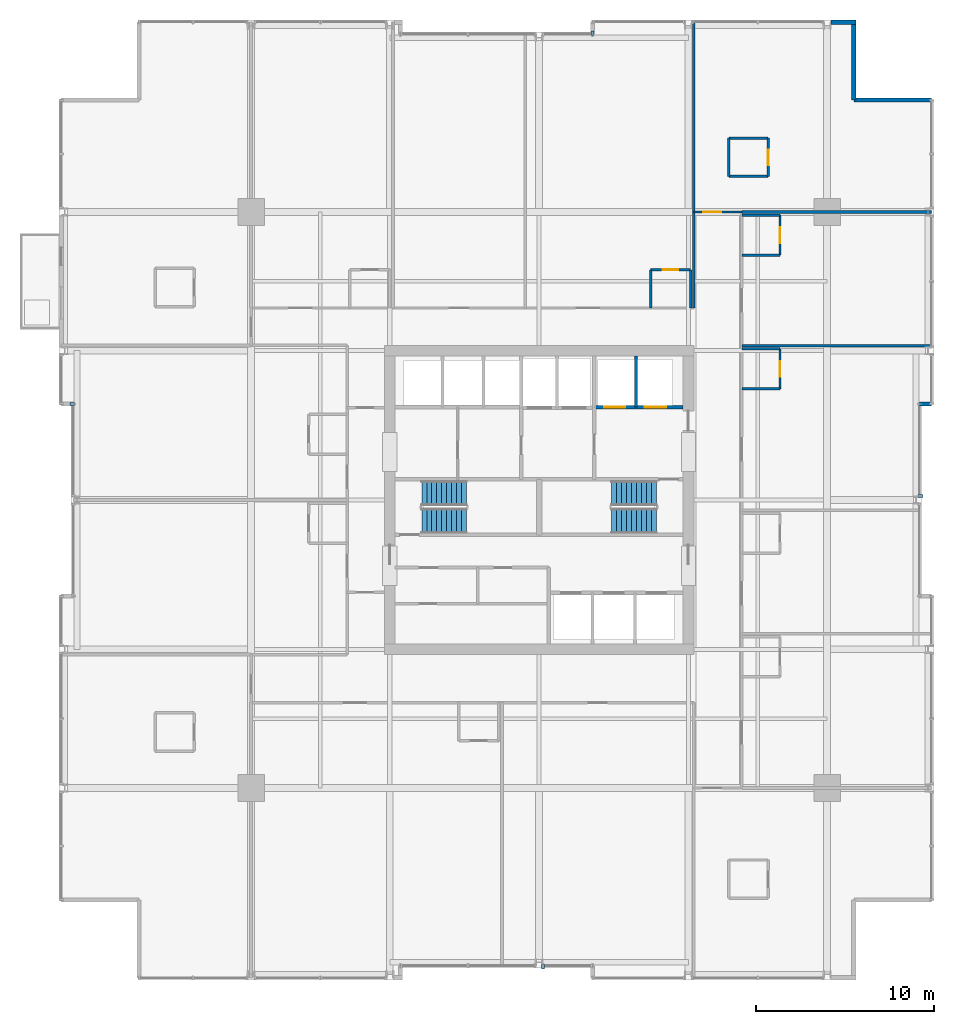
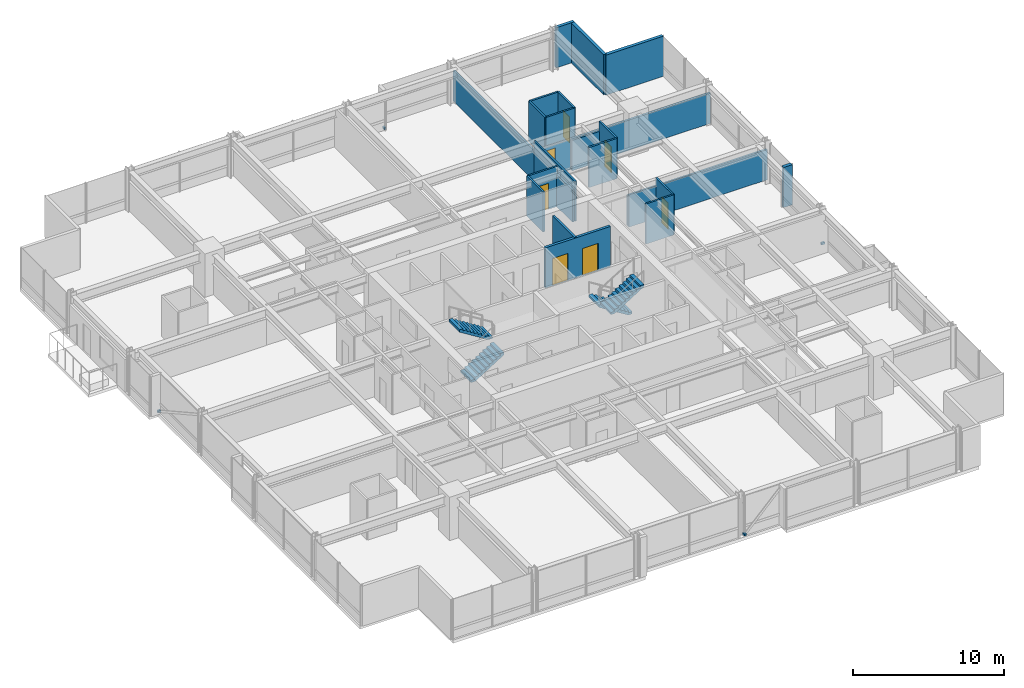
# One storey, part 31 of 34: 24 walls, 7 doors, 4 discrete accessories, 4 stair flights, 7 openings, 2 elements without a shape of their own.
"""IFC4 building model written with IfcOpenShell, lengths in metres."""

from ifc_helpers import new_model, si_unit, direction, frame, frame_2d, origin, origin_2d, place, context, subcontext, project, spatial, polyline, rectangle, outline, extrude, material, layer, layer_set, type_object, element, fill, aggregate, save


model = new_model("IFC4")

# Units and contexts
model_context = context("Model", 3, precision=1e-05, world=origin(), true_north=direction((0.0, 1.0)))
body_context = subcontext(model_context, "Body", "Model", "MODEL_VIEW")
ifc_project = project(units=[si_unit("LENGTHUNIT", "METRE"), si_unit("AREAUNIT", "SQUARE_METRE"), si_unit("VOLUMEUNIT", "CUBIC_METRE"), si_unit("PLANEANGLEUNIT", "RADIAN"), si_unit("MASSUNIT", "GRAM", prefix="KILO")], contexts=[model_context])

# Site, building, storey
site_placement = place(None, origin())
site = spatial("IfcSite", under=ifc_project, at=site_placement, CompositionType="ELEMENT")
building_placement = place(site_placement, origin())
building = spatial("IfcBuilding", under=site, at=building_placement, Name="Drelvath Grand Hotel", CompositionType="ELEMENT")
storey_placement = place(building_placement, frame((0.0, 0.0, 109.300048828125)))
storey = spatial("IfcBuildingStorey", under=building, at=storey_placement, Name="L27", CompositionType="ELEMENT", Elevation=109.300048828125)

# Wall, openings, doors
ifc_material_1 = material(Name="Concrete C40/50", Category="concrete")
ifc_layer_1 = layer(ifc_material_1, 0.199951171875)
ifc_layer_set_1 = layer_set([ifc_layer_1], Name="Concrete C40/50")
wall_type_1 = type_object("IfcWallType", Name="Core Hoistway Fire Wall 200", PredefinedType="SOLIDWALL", material=ifc_layer_set_1)
wall_1_placement = place(storey_placement, frame((3.10009765625, 32.219970703125, 0.0), z_axis=(0.0, 0.0, 1.0), x_axis=(1.0, 0.0, 0.0)))
wall_1 = element("IfcWall", 1, at=wall_1_placement, inside=storey, type_object=wall_type_1, Name="L27 FSAE Hoistway Front Wall", PredefinedType="SOLIDWALL", context=body_context, shape_type="SweptSolid", body=[
    extrude(rectangle(XDim=5.0, YDim=0.199951171875, at=frame_2d((2.5, 0.0))), origin(), (0.0, 0.0, 1.0), 3.239990234375),
])
opening_1_placement = place(wall_1_placement, frame((0.550048828125, 0.0, 0.0)))
opening_1 = element("IfcOpeningElement", 2, at=opening_1_placement, cuts=wall_1, Name="Opening LD-FSAE-1", PredefinedType="OPENING", context=body_context, shape_type="SweptSolid", body=[
    extrude(rectangle(XDim=1.199951171875, YDim=2.199951171875, at=frame_2d((0.60009765625, 1.10009765625))), frame((0.0, 0.10986328125, 0.0), z_axis=(0.0, -1.0, 0.0), x_axis=(1.0, 0.0, 0.0)), (0.0, 0.0, 1.0), 0.219970703125),
])
opening_2_placement = place(wall_1_placement, frame((2.85009765625, 0.0, 0.0)))
opening_2 = element("IfcOpeningElement", 3, at=opening_2_placement, cuts=wall_1, Name="Opening LD-FSAE-2", PredefinedType="OPENING", context=body_context, shape_type="SweptSolid", body=[
    extrude(rectangle(XDim=1.199951171875, YDim=2.199951171875, at=frame_2d((0.60009765625, 1.10009765625))), frame((0.0, 0.10986328125, 0.0), z_axis=(0.0, -1.0, 0.0), x_axis=(1.0, 0.0, 0.0)), (0.0, 0.0, 1.0), 0.219970703125),
])
ifc_material_2 = material(Name="Stainless Steel S355", Category="steel")
door_type_1 = type_object("IfcDoorType", Name="FSAE Lift Sliding Landing Door 1200x2200", OperationType="NOTDEFINED", PredefinedType="DOOR", material=ifc_material_2)
door_1_placement = place(opening_1_placement, origin())
door_1 = element("IfcDoor", 4, at=door_1_placement, inside=storey, type_object=door_type_1, Name="L27 Lift FSAE-1 Landing Door", OperationType="SLIDING_TO_LEFT", OverallHeight=2.199951171875, OverallWidth=1.199951171875, PredefinedType="DOOR", context=body_context, shape_type="SweptSolid", body=[
    extrude(rectangle(XDim=1.199951171875, YDim=2.199951171875, at=frame_2d((0.60009765625, 1.10009765625))), frame((0.0, 0.02490234375, 0.0), z_axis=(0.0, -1.0, 0.0), x_axis=(1.0, 0.0, 0.0)), (0.0, 0.0, 1.0), 0.050048828125),
])
fill(opening_1, door_1)
door_2_placement = place(opening_2_placement, origin())
door_2 = element("IfcDoor", 5, at=door_2_placement, inside=storey, type_object=door_type_1, Name="L27 Lift FSAE-2 Landing Door", OperationType="SLIDING_TO_LEFT", OverallHeight=2.199951171875, OverallWidth=1.199951171875, PredefinedType="DOOR", context=body_context, shape_type="SweptSolid", body=[
    extrude(rectangle(XDim=1.199951171875, YDim=2.199951171875, at=frame_2d((0.60009765625, 1.10009765625))), frame((0.0, 0.02490234375, 0.0), z_axis=(0.0, -1.0, 0.0), x_axis=(1.0, 0.0, 0.0)), (0.0, 0.0, 1.0), 0.050048828125),
])
fill(opening_2, door_2)

# Walls
ifc_material_3 = material(Name="Gypsum Fireboard Partition")
ifc_layer_2 = layer(ifc_material_3, 0.1650390625)
ifc_layer_set_2 = layer_set([ifc_layer_2], Name="Gypsum Fireboard Partition")
wall_type_2 = type_object("IfcWallType", Name="Core Shaft Partition 165", PredefinedType="PARTITIONING", material=ifc_layer_set_2)
wall_2_placement = place(storey_placement, frame((5.449951171875, 32.219970703125, 0.0), z_axis=(0.0, 0.0, 1.0), x_axis=(0.0, 1.0, 0.0)))
element("IfcWall", 6, at=wall_2_placement, inside=storey, type_object=wall_type_2, Name="L27 FSAE Hoistway Divider", PredefinedType="PARTITIONING", context=body_context, shape_type="SweptSolid", body=[
    extrude(rectangle(XDim=2.880126953125, YDim=0.1650390625, at=frame_2d((1.43994140625, 0.0))), origin(), (0.0, 0.0, 1.0), 3.239990234375),
])
ifc_layer_3 = layer(ifc_material_3, 0.135009765625)
ifc_layer_set_3 = layer_set([ifc_layer_3], Name="Gypsum Fireboard Partition")
wall_type_3 = type_object("IfcWallType", Name="Corridor Fire Barrier Wall 135", PredefinedType="PARTITIONING", material=ifc_layer_set_3)
wall_3_placement = place(storey_placement, frame((8.699951171875, 37.800048828125, 0.0), z_axis=(0.0, 0.0, 1.0), x_axis=(0.0, 1.0, 0.0)))
element("IfcWall", 7, at=wall_3_placement, inside=storey, type_object=wall_type_3, Name="L27 East Spine North Inner Wall", PredefinedType="PARTITIONING", context=body_context, shape_type="SweptSolid", body=[
    extrude(rectangle(XDim=5.39990234375, YDim=0.135009765625, at=frame_2d((2.699951171875, 0.0))), origin(), (0.0, 0.0, 1.0), 3.239990234375),
])

# Wall, opening, door
wall_4_placement = place(storey_placement, frame((8.699951171875, 43.199951171875, 0.0), z_axis=(0.0, 0.0, 1.0), x_axis=(1.0, 0.0, 0.0)))
wall_4 = element("IfcWall", 8, at=wall_4_placement, inside=storey, type_object=wall_type_3, Name="L27 East Spine North End", PredefinedType="PARTITIONING", context=body_context, shape_type="SweptSolid", body=[
    extrude(rectangle(XDim=2.699951171875, YDim=0.135009765625, at=frame_2d((1.35009765625, 0.0))), origin(), (0.0, 0.0, 1.0), 2.45166015625),
])
opening_3_placement = place(wall_4_placement, frame((0.52001953125, 0.0, 0.0)))
opening_3 = element("IfcOpeningElement", 9, at=opening_3_placement, cuts=wall_4, Name="Opening D-T2G2-028", PredefinedType="OPENING", context=body_context, shape_type="SweptSolid", body=[
    extrude(rectangle(XDim=1.02001953125, YDim=2.14990234375, at=frame_2d((0.510009765625, 1.074951171875))), frame((0.0, 0.077392578125, 0.0), z_axis=(0.0, -1.0, 0.0), x_axis=(1.0, 0.0, 0.0)), (0.0, 0.0, 1.0), 0.155029296875),
])
ifc_material_4 = material(Name="Hardwood Walnut Timber", Category="wood")
door_type_2 = type_object("IfcDoorType", Name="Amenity Meeting Fire Door 1020x2150", OperationType="NOTDEFINED", PredefinedType="DOOR", material=ifc_material_4)
door_3_placement = place(opening_3_placement, origin())
door_3 = element("IfcDoor", 10, at=door_3_placement, inside=storey, type_object=door_type_2, Name="L27 Corner Suite Entry Door", OperationType="SINGLE_SWING_LEFT", OverallHeight=2.14990234375, OverallWidth=1.02001953125, PredefinedType="DOOR", context=body_context, shape_type="SweptSolid", body=[
    extrude(rectangle(XDim=1.02001953125, YDim=2.14990234375, at=frame_2d((0.510009765625, 1.074951171875))), frame((0.0, 0.02490234375, 0.0), z_axis=(0.0, -1.0, 0.0), x_axis=(1.0, 0.0, 0.0)), (0.0, 0.0, 1.0), 0.050048828125),
])
fill(opening_3, door_3)

# Walls
ifc_material_5 = material(Name="Moisture-Resistant Gypsum Board")
ifc_layer_4 = layer(ifc_material_5, 0.139892578125)
ifc_layer_set_4 = layer_set([ifc_layer_4], Name="Moisture-Resistant Gypsum Board")
wall_type_4 = type_object("IfcWallType", Name="En-Suite Plumbing Wall 140", PredefinedType="PLUMBINGWALL", material=ifc_layer_set_4)
for number, where, z_axis, x_axis, name in (
    (11, (10.679931640625, 45.199951171875, 0.0), (0.0, 0.0, 1.0), (1.0, 0.0, 0.0), "L27 Corner En-Suite South"),
    (12, (10.679931640625, 47.35009765625, 0.0), (0.0, 0.0, 1.0), (1.0, 0.0, 0.0), "L27 Corner En-Suite North"),
):
    element("IfcWall", number, at=place(storey_placement, frame(where, z_axis=z_axis, x_axis=x_axis)), inside=storey, type_object=wall_type_4, Name=name, PredefinedType="PLUMBINGWALL", context=body_context, shape_type="SweptSolid", body=[
        extrude(rectangle(XDim=2.199951171875, YDim=0.139892578125, at=frame_2d((1.10009765625, 0.0))), origin(), (0.0, 0.0, 1.0), 3.239990234375),
    ])
wall_5_placement = place(storey_placement, frame((10.679931640625, 45.199951171875, 0.0), z_axis=(0.0, 0.0, 1.0), x_axis=(0.0, 1.0, 0.0)))
element("IfcWall", 13, at=wall_5_placement, inside=storey, type_object=wall_type_4, Name="L27 Corner En-Suite West", PredefinedType="PLUMBINGWALL", context=body_context, shape_type="SweptSolid", body=[
    extrude(rectangle(XDim=2.150146484375, YDim=0.139892578125, at=frame_2d((1.0751953125, 0.0))), origin(), (0.0, 0.0, 1.0), 3.239990234375),
])

# Wall, opening, door
wall_6_placement = place(storey_placement, frame((12.8798828125, 45.199951171875, 0.0), z_axis=(0.0, 0.0, 1.0), x_axis=(0.0, 1.0, 0.0)))
wall_6 = element("IfcWall", 14, at=wall_6_placement, inside=storey, type_object=wall_type_4, Name="L27 Corner En-Suite East", PredefinedType="PLUMBINGWALL", context=body_context, shape_type="SweptSolid", body=[
    extrude(rectangle(XDim=2.150146484375, YDim=0.139892578125, at=frame_2d((1.0751953125, 0.0))), origin(), (0.0, 0.0, 1.0), 3.239990234375),
])
opening_4_placement = place(wall_6_placement, frame((0.6201171875, 0.0, 0.0)))
opening_4 = element("IfcOpeningElement", 15, at=opening_4_placement, cuts=wall_6, Name="Opening D-T2G2-027", PredefinedType="OPENING", context=body_context, shape_type="SweptSolid", body=[
    extrude(rectangle(XDim=0.8798828125, YDim=2.10009765625, at=frame_2d((0.43994140625, 1.050048828125))), frame((0.0, 0.079833984375, 0.0), z_axis=(0.0, -1.0, 0.0), x_axis=(1.0, 0.0, 0.0)), (0.0, 0.0, 1.0), 0.159912109375),
])
door_type_3 = type_object("IfcDoorType", Name="En-Suite Bathroom Door 880x2100", OperationType="NOTDEFINED", PredefinedType="DOOR", material=ifc_material_4)
door_4_placement = place(opening_4_placement, origin())
door_4 = element("IfcDoor", 16, at=door_4_placement, inside=storey, type_object=door_type_3, Name="L27 Corner En-Suite Door", OperationType="SINGLE_SWING_RIGHT", OverallHeight=2.10009765625, OverallWidth=0.8798828125, PredefinedType="DOOR", context=body_context, shape_type="SweptSolid", body=[
    extrude(rectangle(XDim=0.8798828125, YDim=2.10009765625, at=frame_2d((0.43994140625, 1.050048828125))), frame((0.0, 0.02490234375, 0.0), z_axis=(0.0, -1.0, 0.0), x_axis=(1.0, 0.0, 0.0)), (0.0, 0.0, 1.0), 0.050048828125),
])
fill(opening_4, door_4)

# Walls
wall_7_placement = place(storey_placement, frame((6.27001953125, 37.800048828125, 0.0), z_axis=(0.0, 0.0, 1.0), x_axis=(0.0, 1.0, 0.0)))
element("IfcWall", 17, at=wall_7_placement, inside=storey, type_object=wall_type_4, Name="L27 En-Suite Left Wall", PredefinedType="PLUMBINGWALL", context=body_context, shape_type="SweptSolid", body=[
    extrude(rectangle(XDim=2.14990234375, YDim=0.139892578125, at=frame_2d((1.074951171875, 0.0))), origin(), (0.0, 0.0, 1.0), 3.239990234375),
])
wall_8_placement = place(storey_placement, frame((8.52001953125, 37.800048828125, 0.0), z_axis=(0.0, 0.0, 1.0), x_axis=(0.0, 1.0, 0.0)))
element("IfcWall", 18, at=wall_8_placement, inside=storey, type_object=wall_type_4, Name="L27 En-Suite Right Wall", PredefinedType="PLUMBINGWALL", context=body_context, shape_type="SweptSolid", body=[
    extrude(rectangle(XDim=2.14990234375, YDim=0.139892578125, at=frame_2d((1.074951171875, 0.0))), origin(), (0.0, 0.0, 1.0), 2.617431640625),
])

# Wall, opening, door
wall_9_placement = place(storey_placement, frame((6.27001953125, 39.949951171875, 0.0), z_axis=(0.0, 0.0, 1.0), x_axis=(1.0, 0.0, 0.0)))
wall_9 = element("IfcWall", 19, at=wall_9_placement, inside=storey, type_object=wall_type_4, Name="L27 En-Suite Front Wall", PredefinedType="PLUMBINGWALL", context=body_context, shape_type="SweptSolid", body=[
    extrude(rectangle(XDim=2.25, YDim=0.139892578125, at=frame_2d((1.125, 0.0))), origin(), (0.0, 0.0, 1.0), 3.239990234375),
])
opening_5_placement = place(wall_9_placement, frame((0.68505859375, 0.0, 0.0)))
opening_5 = element("IfcOpeningElement", 20, at=opening_5_placement, cuts=wall_9, Name="Opening D-T2G2-035", PredefinedType="OPENING", context=body_context, shape_type="SweptSolid", body=[
    extrude(rectangle(XDim=0.8798828125, YDim=2.10009765625, at=frame_2d((0.43994140625, 1.050048828125))), frame((0.0, 0.079833984375, 0.0), z_axis=(0.0, -1.0, 0.0), x_axis=(1.0, 0.0, 0.0)), (0.0, 0.0, 1.0), 0.159912109375),
])
door_5_placement = place(opening_5_placement, origin())
door_5 = element("IfcDoor", 21, at=door_5_placement, inside=storey, type_object=door_type_3, Name="L27 En-Suite Bathroom Door", OperationType="SINGLE_SWING_RIGHT", OverallHeight=2.10009765625, OverallWidth=0.8798828125, PredefinedType="DOOR", context=body_context, shape_type="SweptSolid", body=[
    extrude(rectangle(XDim=0.8798828125, YDim=2.10009765625, at=frame_2d((0.43994140625, 1.050048828125))), frame((0.0, 0.02490234375, 0.0), z_axis=(0.0, -1.0, 0.0), x_axis=(1.0, 0.0, 0.0)), (0.0, 0.0, 1.0), 0.050048828125),
])
fill(opening_5, door_5)

# Walls
wall_10_placement = place(storey_placement, frame((11.39990234375, 33.24853515625, 0.0), z_axis=(0.0, 0.0, 1.0), x_axis=(1.0, 0.0, 0.0)))
element("IfcWall", 22, at=wall_10_placement, inside=storey, type_object=wall_type_4, Name="L27 En-Suite Left Wall", PredefinedType="PLUMBINGWALL", context=body_context, shape_type="SweptSolid", body=[
    extrude(rectangle(XDim=2.150146484375, YDim=0.139892578125, at=frame_2d((1.0751953125, 0.0))), origin(), (0.0, 0.0, 1.0), 3.239990234375),
])
wall_11_placement = place(storey_placement, frame((11.39990234375, 35.49853515625, 0.0), z_axis=(0.0, 0.0, 1.0), x_axis=(1.0, 0.0, 0.0)))
element("IfcWall", 23, at=wall_11_placement, inside=storey, type_object=wall_type_4, Name="L27 En-Suite Right Wall", PredefinedType="PLUMBINGWALL", context=body_context, shape_type="SweptSolid", body=[
    extrude(rectangle(XDim=2.150146484375, YDim=0.139892578125, at=frame_2d((1.0751953125, 0.0))), origin(), (0.0, 0.0, 1.0), 2.617431640625),
])

# Wall, opening, door
wall_12_placement = place(storey_placement, frame((13.550048828125, 33.24853515625, 0.0), z_axis=(0.0, 0.0, 1.0), x_axis=(0.0, 1.0, 0.0)))
wall_12 = element("IfcWall", 24, at=wall_12_placement, inside=storey, type_object=wall_type_4, Name="L27 En-Suite Front Wall", PredefinedType="PLUMBINGWALL", context=body_context, shape_type="SweptSolid", body=[
    extrude(rectangle(XDim=2.25, YDim=0.139892578125, at=frame_2d((1.125, 0.0))), origin(), (0.0, 0.0, 1.0), 3.239990234375),
])
opening_6_placement = place(wall_12_placement, frame((0.68505859375, 0.0, 0.0)))
opening_6 = element("IfcOpeningElement", 25, at=opening_6_placement, cuts=wall_12, Name="Opening D-T2G2-041", PredefinedType="OPENING", context=body_context, shape_type="SweptSolid", body=[
    extrude(rectangle(XDim=0.8798828125, YDim=2.10009765625, at=frame_2d((0.43994140625, 1.050048828125))), frame((0.0, 0.079833984375, 0.0), z_axis=(0.0, -1.0, 0.0), x_axis=(1.0, 0.0, 0.0)), (0.0, 0.0, 1.0), 0.159912109375),
])
door_6_placement = place(opening_6_placement, origin())
door_6 = element("IfcDoor", 26, at=door_6_placement, inside=storey, type_object=door_type_3, Name="L27 En-Suite Bathroom Door", OperationType="SINGLE_SWING_RIGHT", OverallHeight=2.10009765625, OverallWidth=0.8798828125, PredefinedType="DOOR", context=body_context, shape_type="SweptSolid", body=[
    extrude(rectangle(XDim=0.8798828125, YDim=2.10009765625, at=frame_2d((0.43994140625, 1.050048828125))), frame((0.0, 0.02490234375, 0.0), z_axis=(0.0, -1.0, 0.0), x_axis=(1.0, 0.0, 0.0)), (0.0, 0.0, 1.0), 0.050048828125),
])
fill(opening_6, door_6)

# Walls
wall_13_placement = place(storey_placement, frame((11.39990234375, 40.77001953125, 0.0), z_axis=(0.0, 0.0, 1.0), x_axis=(1.0, 0.0, 0.0)))
element("IfcWall", 27, at=wall_13_placement, inside=storey, type_object=wall_type_4, Name="L27 En-Suite Left Wall", PredefinedType="PLUMBINGWALL", context=body_context, shape_type="SweptSolid", body=[
    extrude(rectangle(XDim=2.150146484375, YDim=0.139892578125, at=frame_2d((1.0751953125, 0.0))), origin(), (0.0, 0.0, 1.0), 3.239990234375),
])
wall_14_placement = place(storey_placement, frame((11.39990234375, 43.02001953125, 0.0), z_axis=(0.0, 0.0, 1.0), x_axis=(1.0, 0.0, 0.0)))
element("IfcWall", 28, at=wall_14_placement, inside=storey, type_object=wall_type_4, Name="L27 En-Suite Right Wall", PredefinedType="PLUMBINGWALL", context=body_context, shape_type="SweptSolid", body=[
    extrude(rectangle(XDim=2.150146484375, YDim=0.139892578125, at=frame_2d((1.0751953125, 0.0))), origin(), (0.0, 0.0, 1.0), 2.45166015625),
])

# Wall, opening, door
wall_15_placement = place(storey_placement, frame((13.550048828125, 40.77001953125, 0.0), z_axis=(0.0, 0.0, 1.0), x_axis=(0.0, 1.0, 0.0)))
wall_15 = element("IfcWall", 29, at=wall_15_placement, inside=storey, type_object=wall_type_4, Name="L27 En-Suite Front Wall", PredefinedType="PLUMBINGWALL", context=body_context, shape_type="SweptSolid", body=[
    extrude(rectangle(XDim=2.25, YDim=0.139892578125, at=frame_2d((1.125, 0.0))), origin(), (0.0, 0.0, 1.0), 3.239990234375),
])
opening_7_placement = place(wall_15_placement, frame((0.68505859375, 0.0, 0.0)))
opening_7 = element("IfcOpeningElement", 30, at=opening_7_placement, cuts=wall_15, Name="Opening D-T2G2-043", PredefinedType="OPENING", context=body_context, shape_type="SweptSolid", body=[
    extrude(rectangle(XDim=0.8798828125, YDim=2.10009765625, at=frame_2d((0.43994140625, 1.050048828125))), frame((0.0, 0.079833984375, 0.0), z_axis=(0.0, -1.0, 0.0), x_axis=(1.0, 0.0, 0.0)), (0.0, 0.0, 1.0), 0.159912109375),
])
door_7_placement = place(opening_7_placement, origin())
door_7 = element("IfcDoor", 31, at=door_7_placement, inside=storey, type_object=door_type_3, Name="L27 En-Suite Bathroom Door", OperationType="SINGLE_SWING_RIGHT", OverallHeight=2.10009765625, OverallWidth=0.8798828125, PredefinedType="DOOR", context=body_context, shape_type="SweptSolid", body=[
    extrude(rectangle(XDim=0.8798828125, YDim=2.10009765625, at=frame_2d((0.43994140625, 1.050048828125))), frame((0.0, 0.02490234375, 0.0), z_axis=(0.0, -1.0, 0.0), x_axis=(1.0, 0.0, 0.0)), (0.0, 0.0, 1.0), 0.050048828125),
])
fill(opening_7, door_7)

# Walls
ifc_material_6 = material(Name="Gypsum Acoustic Partition")
ifc_layer_5 = layer(ifc_material_6, 0.14990234375)
ifc_layer_set_5 = layer_set([ifc_layer_5], Name="Gypsum Acoustic Partition")
wall_type_5 = type_object("IfcWallType", Name="Guestroom Demising Wall 150", PredefinedType="PARTITIONING", material=ifc_layer_set_5)
wall_16_placement = place(storey_placement, frame((11.39990234375, 35.6787109375, 0.0), z_axis=(0.0, 0.0, 1.0), x_axis=(1.0, 0.0, 0.0)))
element("IfcWall", 32, at=wall_16_placement, inside=storey, type_object=wall_type_5, Name="L27 East Demising 3", PredefinedType="PARTITIONING", context=body_context, shape_type="SweptSolid", body=[
    extrude(rectangle(XDim=10.68017578125, YDim=0.14990234375, at=frame_2d((5.340087890625, 0.0))), origin(), (0.0, 0.0, 1.0), 2.45166015625),
])
ifc_layer_6 = layer(ifc_material_6, 0.1650390625)
ifc_layer_set_6 = layer_set([ifc_layer_6], Name="Gypsum Acoustic Partition")
wall_type_6 = type_object("IfcWallType", Name="Suite Demising Wall 165", PredefinedType="PARTITIONING", material=ifc_layer_set_6)
wall_17_placement = place(storey_placement, frame((8.699951171875, 43.199951171875, 0.0), z_axis=(0.0, 0.0, 1.0), x_axis=(0.0, 1.0, 0.0)))
element("IfcWall", 33, at=wall_17_placement, inside=storey, type_object=wall_type_6, Name="L27 NE Suite West Wall", PredefinedType="PARTITIONING", context=body_context, shape_type="SweptSolid", body=[
    extrude(rectangle(XDim=10.679931640625, YDim=0.1650390625, at=frame_2d((5.33984375, 0.0))), origin(), (0.0, 0.0, 1.0), 2.45166015625),
])
wall_18_placement = place(storey_placement, frame((11.39990234375, 43.199951171875, 0.0), z_axis=(0.0, 0.0, 1.0), x_axis=(1.0, 0.0, 0.0)))
element("IfcWall", 34, at=wall_18_placement, inside=storey, type_object=wall_type_6, Name="L27 NE Suite South Wall", PredefinedType="PARTITIONING", context=body_context, shape_type="SweptSolid", body=[
    extrude(rectangle(XDim=10.68017578125, YDim=0.1650390625, at=frame_2d((5.340087890625, 0.0))), origin(), (0.0, 0.0, 1.0), 2.45166015625),
])
ifc_material_7 = material(Name="Pale-Metal Insulated Aluminium Spandrel Assembly", Category="aluminium")
ifc_layer_7 = layer(ifc_material_7, 0.239990234375)
ifc_layer_set_7 = layer_set([ifc_layer_7], Name="Pale-Metal Insulated Aluminium Spandrel Assembly")
wall_type_7 = type_object("IfcWallType", Name="Tower Insulated Metal Spandrel Closure Wall 240", PredefinedType="STANDARD", material=ifc_layer_set_7)
wall_19_placement = place(storey_placement, frame((16.419677734375, 53.8798828125, 0.0), z_axis=(0.0, 0.0, 1.0), x_axis=(1.0, 0.0, 0.0)))
element("IfcWall", 35, at=wall_19_placement, inside=storey, type_object=wall_type_7, Name="L27 Corner Pier Spandrel Wall NE3", PredefinedType="STANDARD", context=body_context, shape_type="SweptSolid", body=[
    extrude(rectangle(XDim=1.400390625, YDim=0.239990234375, at=frame_2d((0.7001953125, 0.0))), origin(), (0.0, 0.0, 1.0), 3.239990234375),
])
wall_20_placement = place(storey_placement, frame((17.699951171875, 53.760009765625, 0.0), z_axis=(0.0, 0.0, 1.0), x_axis=(0.0, -1.0, 0.0)))
element("IfcWall", 36, at=wall_20_placement, inside=storey, type_object=wall_type_7, Name="L27 Notched Corner Return Spandrel Wall CNE1", PredefinedType="STANDARD", context=body_context, shape_type="SweptSolid", body=[
    extrude(rectangle(XDim=4.260009765625, YDim=0.239990234375, at=frame_2d((2.1298828125, 0.0))), origin(), (0.0, 0.0, 1.0), 3.239990234375),
])
wall_21_placement = place(storey_placement, frame((17.699951171875, 49.5, 0.0), z_axis=(0.0, 0.0, 1.0), x_axis=(1.0, 0.0, 0.0)))
element("IfcWall", 37, at=wall_21_placement, inside=storey, type_object=wall_type_7, Name="L27 Notched Corner Return Spandrel Wall CNE2", PredefinedType="STANDARD", context=body_context, shape_type="SweptSolid", body=[
    extrude(rectangle(XDim=4.380126953125, YDim=0.239990234375, at=frame_2d((2.18994140625, 0.0))), origin(), (0.0, 0.0, 1.0), 3.239990234375),
])
wall_22_placement = place(storey_placement, frame((22.080078125, 32.39990234375, 0.0), z_axis=(0.0, 0.0, 1.0), x_axis=(-1.0, 0.0, 0.0)))
element("IfcWall", 38, at=wall_22_placement, inside=storey, type_object=wall_type_7, Name="L27 Notched Corner Return Spandrel Wall RE1", PredefinedType="STANDARD", context=body_context, shape_type="SweptSolid", body=[
    extrude(rectangle(XDim=0.68017578125, YDim=0.239990234375, at=frame_2d((0.340087890625, 0.0))), origin(), (0.0, 0.0, 1.0), 3.239990234375),
])

# Stair, stair flights
stair_type = type_object("IfcStairType", Name="Dogleg Exit Stair W1400-R175.0", PredefinedType="HALF_TURN_STAIR", material=ifc_material_1)
stair_1_placement = place(storey_placement, origin())
stair_1 = element("IfcStair", 39, at=stair_1_placement, inside=storey, type_object=stair_type, Name="L27 Core Exit Stair ST-1", PredefinedType="HALF_TURN_STAIR")
stair_flight_type = type_object("IfcStairFlightType", Name="Concrete Stair Flight W1400-R175.0", PredefinedType="STRAIGHT", material=ifc_material_1)
stair_flight_1_placement = place(storey_placement, frame((-6.60009765625, 25.820068359375, 0.0), z_axis=(0.0, 0.0, 1.0), x_axis=(1.0, 0.0, 0.0)))
stair_flight_1 = element("IfcStairFlight", 40, at=stair_flight_1_placement, type_object=stair_flight_type, Name="ST-1 flight 1", NumberOfRisers=10, NumberOfTreads=9, PredefinedType="STRAIGHT", RiserHeight=0.175, TreadLength=0.28, context=body_context, shape_type="SweptSolid", body=[
    extrude(outline(polyline([(0.0, 0.0), (0.0, 0.175048828125), (0.280029296875, 0.175048828125), (0.280029296875, 0.35009765625), (0.56005859375, 0.35009765625), (0.56005859375, 0.52490234375), (0.840087890625, 0.52490234375), (0.840087890625, 0.699951171875), (1.1201171875, 0.699951171875), (1.1201171875, 0.875), (1.39990234375, 0.875), (1.39990234375, 1.050048828125), (1.679931640625, 1.050048828125), (1.679931640625, 1.22509765625), (1.9599609375, 1.22509765625), (1.9599609375, 1.39990234375), (2.239990234375, 1.39990234375), (2.239990234375, 1.574951171875), (2.52001953125, 1.574951171875), (2.52001953125, 1.75), (2.52001953125, 1.386474609375), (0.3017578125, 0.0), (0.0, 0.0)])), frame((0.0, 0.699951171875, 0.0), z_axis=(0.0, -1.0, 0.0), x_axis=(1.0, 0.0, 0.0)), (0.0, 0.0, 1.0), 1.39990234375),
])
stair_flight_2_placement = place(storey_placement, frame((-4.080078125, 27.3798828125, 1.75), z_axis=(0.0, 0.0, 1.0), x_axis=(-1.0, 0.0, 0.0)))
stair_flight_2 = element("IfcStairFlight", 41, at=stair_flight_2_placement, type_object=stair_flight_type, Name="ST-1 flight 2", NumberOfRisers=10, NumberOfTreads=9, PredefinedType="STRAIGHT", RiserHeight=0.175, TreadLength=0.28, context=body_context, shape_type="SweptSolid", body=[
    extrude(outline(polyline([(0.0, 0.0), (0.0, 0.175048828125), (0.280029296875, 0.175048828125), (0.280029296875, 0.35009765625), (0.56005859375, 0.35009765625), (0.56005859375, 0.52490234375), (0.840087890625, 0.52490234375), (0.840087890625, 0.699951171875), (1.1201171875, 0.699951171875), (1.1201171875, 0.875), (1.39990234375, 0.875), (1.39990234375, 1.050048828125), (1.679931640625, 1.050048828125), (1.679931640625, 1.22509765625), (1.9599609375, 1.22509765625), (1.9599609375, 1.39990234375), (2.239990234375, 1.39990234375), (2.239990234375, 1.574951171875), (2.52001953125, 1.574951171875), (2.52001953125, 1.75), (2.52001953125, 1.386474609375), (0.3017578125, 0.0), (0.0, 0.0)])), frame((0.0, 0.699951171875, 0.0), z_axis=(0.0, -1.0, 0.0), x_axis=(1.0, 0.0, 0.0)), (0.0, 0.0, 1.0), 1.39990234375),
])
aggregate(stair_1, [stair_flight_1, stair_flight_2])

stair_2_placement = place(storey_placement, origin())
stair_2 = element("IfcStair", 42, at=stair_2_placement, inside=storey, type_object=stair_type, Name="L27 Core Exit Stair ST-2", PredefinedType="HALF_TURN_STAIR")
stair_flight_3_placement = place(storey_placement, frame((6.60009765625, 27.3798828125, 0.0), z_axis=(0.0, 0.0, 1.0), x_axis=(-1.0, 0.0, 0.0)))
stair_flight_3 = element("IfcStairFlight", 43, at=stair_flight_3_placement, type_object=stair_flight_type, Name="ST-2 flight 1", NumberOfRisers=10, NumberOfTreads=9, PredefinedType="STRAIGHT", RiserHeight=0.175, TreadLength=0.28, context=body_context, shape_type="SweptSolid", body=[
    extrude(outline(polyline([(0.0, 0.0), (0.0, 0.175048828125), (0.280029296875, 0.175048828125), (0.280029296875, 0.35009765625), (0.56005859375, 0.35009765625), (0.56005859375, 0.52490234375), (0.840087890625, 0.52490234375), (0.840087890625, 0.699951171875), (1.1201171875, 0.699951171875), (1.1201171875, 0.875), (1.39990234375, 0.875), (1.39990234375, 1.050048828125), (1.679931640625, 1.050048828125), (1.679931640625, 1.22509765625), (1.9599609375, 1.22509765625), (1.9599609375, 1.39990234375), (2.239990234375, 1.39990234375), (2.239990234375, 1.574951171875), (2.52001953125, 1.574951171875), (2.52001953125, 1.75), (2.52001953125, 1.386474609375), (0.3017578125, 0.0), (0.0, 0.0)])), frame((0.0, 0.699951171875, 0.0), z_axis=(0.0, -1.0, 0.0), x_axis=(1.0, 0.0, 0.0)), (0.0, 0.0, 1.0), 1.39990234375),
])
stair_flight_4_placement = place(storey_placement, frame((4.080078125, 25.820068359375, 1.75), z_axis=(0.0, 0.0, 1.0), x_axis=(1.0, 0.0, 0.0)))
stair_flight_4 = element("IfcStairFlight", 44, at=stair_flight_4_placement, type_object=stair_flight_type, Name="ST-2 flight 2", NumberOfRisers=10, NumberOfTreads=9, PredefinedType="STRAIGHT", RiserHeight=0.175, TreadLength=0.28, context=body_context, shape_type="SweptSolid", body=[
    extrude(outline(polyline([(0.0, 0.0), (0.0, 0.175048828125), (0.280029296875, 0.175048828125), (0.280029296875, 0.35009765625), (0.56005859375, 0.35009765625), (0.56005859375, 0.52490234375), (0.840087890625, 0.52490234375), (0.840087890625, 0.699951171875), (1.1201171875, 0.699951171875), (1.1201171875, 0.875), (1.39990234375, 0.875), (1.39990234375, 1.050048828125), (1.679931640625, 1.050048828125), (1.679931640625, 1.22509765625), (1.9599609375, 1.22509765625), (1.9599609375, 1.39990234375), (2.239990234375, 1.39990234375), (2.239990234375, 1.574951171875), (2.52001953125, 1.574951171875), (2.52001953125, 1.75), (2.52001953125, 1.386474609375), (0.3017578125, 0.0), (0.0, 0.0)])), frame((0.0, 0.699951171875, 0.0), z_axis=(0.0, -1.0, 0.0), x_axis=(1.0, 0.0, 0.0)), (0.0, 0.0, 1.0), 1.39990234375),
])
aggregate(stair_2, [stair_flight_3, stair_flight_4])

# Discrete accessories
ifc_material_8 = material(Name="Stainless Steel Grade 316", Category="steel")
discrete_accessory_type = type_object("IfcDiscreteAccessoryType", Name="Curtain Wall Fin Mounting Bracket Cleat", PredefinedType="BRACKET", material=ifc_material_8)
for number, where, z_axis, x_axis, name in (
    (45, (-26.260009765625, 32.39990234375, 0.10009765625), (0.0, 0.0, 1.0), (0.0, 1.0, 0.0), "L27 Fin Mounting Bracket CW03-L27-WM2-1"),
    (46, (21.4599609375, 27.219482421875, 0.10009765625), (0.0, 0.0, 1.0), (0.0, -1.0, 0.0), "L27 Fin Mounting Bracket CW03-L27-EM2-1"),
    (47, (3.0, 53.260009765625, 0.10009765625), (0.0, 0.0, 1.0), (1.0, 0.0, 0.0), "L27 Fin Mounting Bracket CW03-L27-NM2-1"),
    (48, (0.219482421875, 0.739990234375, 0.10009765625), (0.0, 0.0, 1.0), (-1.0, 0.0, 0.0), "L27 Fin Mounting Bracket CW03-L27-SM2-1"),
):
    element("IfcDiscreteAccessory", number, at=place(storey_placement, frame(where, z_axis=z_axis, x_axis=x_axis)), inside=storey, type_object=discrete_accessory_type, Name=name, PredefinedType="BRACKET", context=body_context, shape_type="SweptSolid", body=[
        extrude(rectangle(XDim=0.159912109375, YDim=0.239990234375, at=origin_2d()), origin(), (0.0, 0.0, 1.0), 0.159912109375),
    ])

save(model, "model.ifc")
